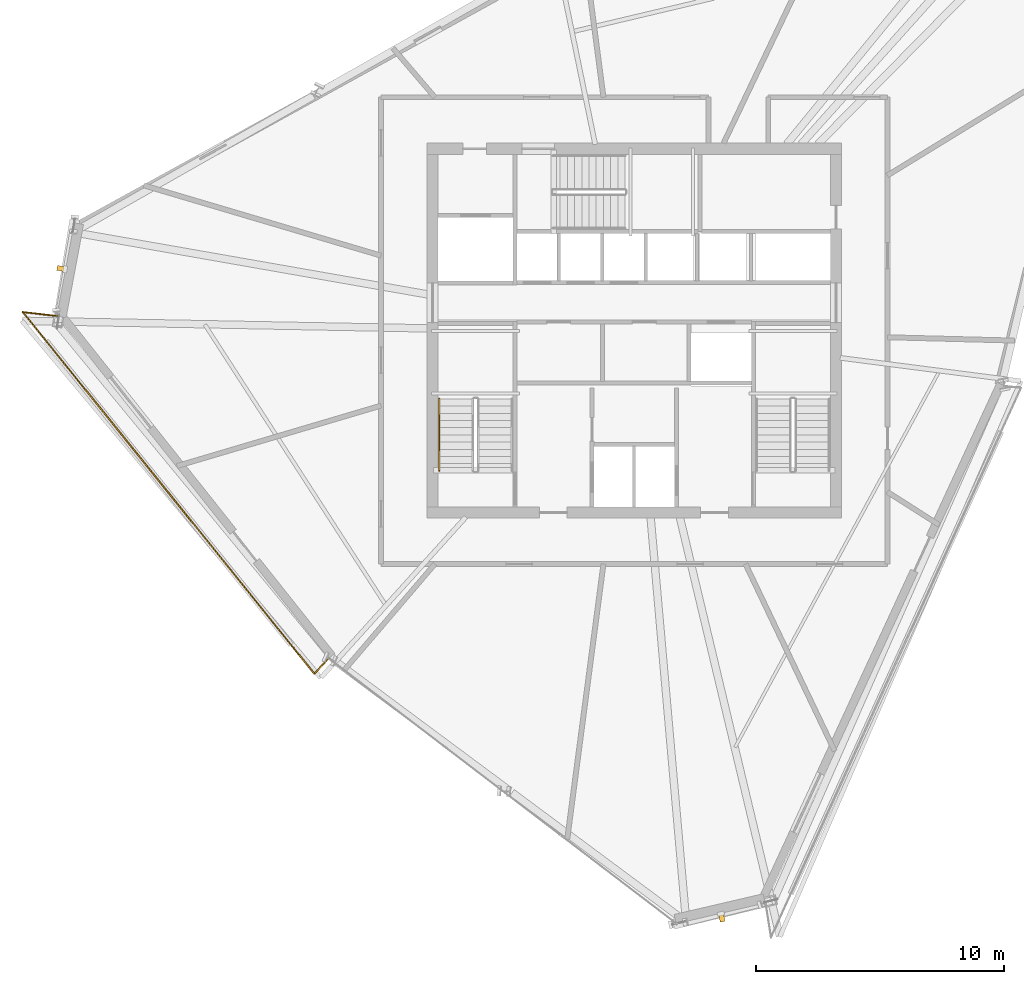
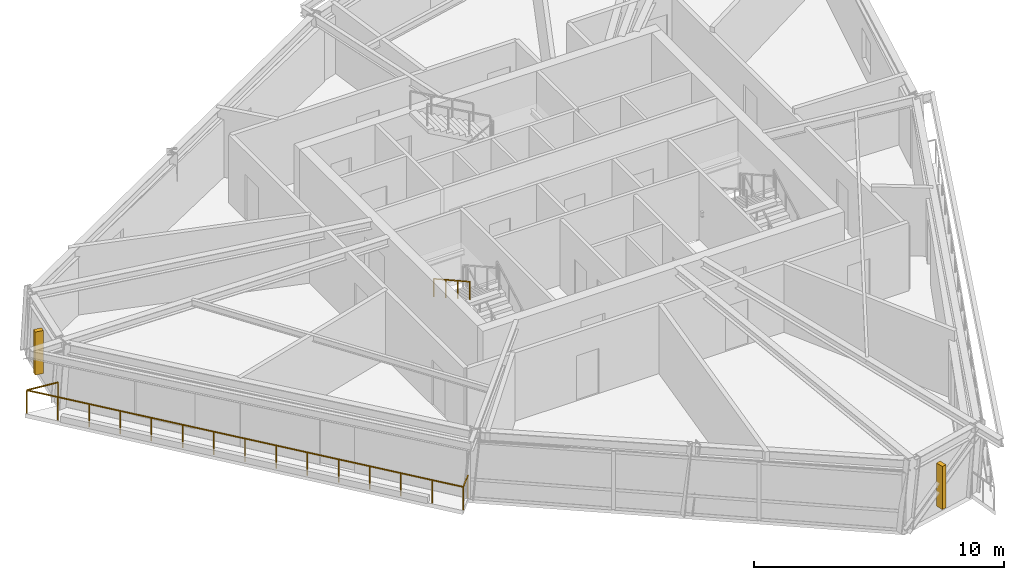
# One storey, part 11 of 13: 2 railings, 2 shading devices.
"""IFC4 building model written with IfcOpenShell, lengths in metres."""

from ifc_helpers import new_model, si_unit, direction, frame, origin, origin_2d, place, context, subcontext, project, spatial, rectangle, extrude, source, transform, mapped, material, type_object, element, save


model = new_model("IFC4")

# Units and contexts
model_context = context("Model", 3, precision=1e-05, world=origin(), true_north=direction((0.0, 1.0)))
body_context = subcontext(model_context, "Body", "Model", "MODEL_VIEW")
ifc_project = project(units=[si_unit("LENGTHUNIT", "METRE"), si_unit("AREAUNIT", "SQUARE_METRE"), si_unit("VOLUMEUNIT", "CUBIC_METRE"), si_unit("PLANEANGLEUNIT", "RADIAN"), si_unit("MASSUNIT", "GRAM", prefix="KILO")], contexts=[model_context])

# Site, building, storey
site_placement = place(None, origin())
site = spatial("IfcSite", under=ifc_project, at=site_placement, CompositionType="ELEMENT")
building_placement = place(site_placement, origin())
building = spatial("IfcBuilding", under=site, at=building_placement, Name="Olszyna Solenne Hotel", CompositionType="ELEMENT")
storey_placement = place(building_placement, frame((0.0, 0.0, 227.35009765625)))
storey = spatial("IfcBuildingStorey", under=building, at=storey_placement, Name="L60", CompositionType="ELEMENT", Elevation=227.35009765625)

# Railings
ifc_material_1 = material(Name="Anodised bronze aluminium", Category="aluminium")
railing_type_1 = type_object("IfcRailingType", Name="GR-110", PredefinedType="BALUSTRADE", material=ifc_material_1)
railing_1_placement = place(storey_placement, frame((14.74560546875, 27.18994140625, 0.0)))
element("IfcRailing", 1, at=railing_1_placement, inside=storey, type_object=railing_type_1, Name="Loggia balcony balustrade guard GR-L60-LG2", PredefinedType="BALUSTRADE", context=body_context, shape_type="SweptSolid", body=[
    extrude(rectangle(XDim=0.048095703125, YDim=0.048095703125, at=origin_2d()), frame((0.0, 0.0, 1.1259765625), z_axis=(-0.993296039772, 0.115598345031, 0.0), x_axis=(-0.115598345031, -0.993296039772, 0.0)), (0.0, 0.0, 1.0), 1.379150390625),
    extrude(rectangle(XDim=0.048095703125, YDim=0.048095703125, at=origin_2d()), frame((-1.369873046875, 0.159423828125, 1.1259765625), z_axis=(0.627541333191, -0.778583248687, 0.0), x_axis=(0.778583248687, 0.627541333191, 0.0)), (0.0, 0.0, 1.0), 18.717529296875),
    extrude(rectangle(XDim=0.048095703125, YDim=0.048095703125, at=origin_2d()), frame((10.376220703125, -14.413818359375, 1.1259765625), z_axis=(0.679310199144, 0.733851247419, 0.0), x_axis=(-0.733851247419, 0.679310199144, 0.0)), (0.0, 0.0, 1.0), 0.845947265625),
    extrude(rectangle(XDim=0.0419921875, YDim=0.0419921875, at=origin_2d()), origin(), (0.0, 0.0, 1.0), 1.101806640625),
    extrude(rectangle(XDim=0.0419921875, YDim=0.0419921875, at=origin_2d()), frame((-1.369873046875, 0.159423828125, 0.0)), (0.0, 0.0, 1.0), 1.101806640625),
    extrude(rectangle(XDim=0.0419921875, YDim=0.0419921875, at=origin_2d()), frame((-0.53076171875, -0.881591796875, 0.0)), (0.0, 0.0, 1.0), 1.101806640625),
    extrude(rectangle(XDim=0.0419921875, YDim=0.0419921875, at=origin_2d()), frame((0.30810546875, -1.92236328125, 0.0)), (0.0, 0.0, 1.0), 1.101806640625),
    extrude(rectangle(XDim=0.0419921875, YDim=0.0419921875, at=origin_2d()), frame((1.147216796875, -2.96337890625, 0.0)), (0.0, 0.0, 1.0), 1.101806640625),
    extrude(rectangle(XDim=0.0419921875, YDim=0.0419921875, at=origin_2d()), frame((1.986083984375, -4.00439453125, 0.0)), (0.0, 0.0, 1.0), 1.101806640625),
    extrude(rectangle(XDim=0.0419921875, YDim=0.0419921875, at=origin_2d()), frame((2.8251953125, -5.04541015625, 0.0)), (0.0, 0.0, 1.0), 1.101806640625),
    extrude(rectangle(XDim=0.0419921875, YDim=0.0419921875, at=origin_2d()), frame((3.6640625, -6.086181640625, 0.0)), (0.0, 0.0, 1.0), 1.101806640625),
    extrude(rectangle(XDim=0.0419921875, YDim=0.0419921875, at=origin_2d()), frame((4.503173828125, -7.127197265625, 0.0)), (0.0, 0.0, 1.0), 1.101806640625),
    extrude(rectangle(XDim=0.0419921875, YDim=0.0419921875, at=origin_2d()), frame((5.34228515625, -8.168212890625, 0.0)), (0.0, 0.0, 1.0), 1.101806640625),
    extrude(rectangle(XDim=0.0419921875, YDim=0.0419921875, at=origin_2d()), frame((6.18115234375, -9.208984375, 0.0)), (0.0, 0.0, 1.0), 1.101806640625),
    extrude(rectangle(XDim=0.0419921875, YDim=0.0419921875, at=origin_2d()), frame((7.020263671875, -10.25, 0.0)), (0.0, 0.0, 1.0), 1.101806640625),
    extrude(rectangle(XDim=0.0419921875, YDim=0.0419921875, at=origin_2d()), frame((7.859130859375, -11.291015625, 0.0)), (0.0, 0.0, 1.0), 1.101806640625),
    extrude(rectangle(XDim=0.0419921875, YDim=0.0419921875, at=origin_2d()), frame((8.6982421875, -12.33203125, 0.0)), (0.0, 0.0, 1.0), 1.101806640625),
    extrude(rectangle(XDim=0.0419921875, YDim=0.0419921875, at=origin_2d()), frame((9.537109375, -13.372802734375, 0.0)), (0.0, 0.0, 1.0), 1.101806640625),
    extrude(rectangle(XDim=0.0419921875, YDim=0.0419921875, at=origin_2d()), frame((10.376220703125, -14.413818359375, 0.0)), (0.0, 0.0, 1.0), 1.101806640625),
    extrude(rectangle(XDim=0.0419921875, YDim=0.0419921875, at=origin_2d()), frame((10.950927734375, -13.79296875, 0.0)), (0.0, 0.0, 1.0), 1.101806640625),
])
ifc_material_2 = material(Name="Steel S355J2", Category="steel")
railing_type_2 = type_object("IfcRailingType", Name="HR-090", PredefinedType="HANDRAIL", material=ifc_material_2)
railing_2_placement = place(storey_placement, frame((30.14990234375, 23.85009765625, 1.936279296875)))
element("IfcRailing", 2, at=railing_2_placement, inside=storey, type_object=railing_type_2, Name="L60 ST1 stair handrail 2", PredefinedType="HANDRAIL", context=body_context, shape_type="SweptSolid", body=[
    extrude(rectangle(XDim=0.048095703125, YDim=0.048095703125, at=origin_2d()), frame((0.0, 0.0, 0.8759765625), z_axis=(0.0, -0.873858693841, 0.486179990537), x_axis=(1.0, 0.0, 0.0)), (0.0, 0.0, 1.0), 3.31884765625),
    extrude(rectangle(XDim=0.0419921875, YDim=0.0419921875, at=origin_2d()), origin(), (0.0, 0.0, 1.0), 0.851806640625),
    extrude(rectangle(XDim=0.0419921875, YDim=0.0419921875, at=origin_2d()), frame((0.0, -0.966796875, 0.537841796875)), (0.0, 0.0, 1.0), 0.851806640625),
    extrude(rectangle(XDim=0.0419921875, YDim=0.0419921875, at=origin_2d()), frame((0.0, -1.933349609375, 1.07568359375)), (0.0, 0.0, 1.0), 0.851806640625),
    extrude(rectangle(XDim=0.0419921875, YDim=0.0419921875, at=origin_2d()), frame((0.0, -2.900146484375, 1.613525390625)), (0.0, 0.0, 1.0), 0.851806640625),
])

# Shading devices
ifc_material_3 = material(Name="Terracotta cladding", Category="masonry")
shading_device_type = type_object("IfcShadingDeviceType", Name="SH-FN1", PredefinedType="USERDEFINED", material=ifc_material_3)
shared_shape = source(origin(), body_context, "Body", "SweptSolid", [
    extrude(rectangle(XDim=0.199951171875, YDim=0.35009765625, at=origin_2d()), origin(), (0.0, 0.0, 1.0), 2.10009765625),
])
for number, where, z_axis, x_axis, name in (
    (3, (41.527099609375, 2.96484375, 0.36083984375), (0.0, 0.0, 1.0), (-0.973975967279, -0.226651307437, 0.0), "Chamfer wind-corner terracotta fin FN-L60-02"),
    (4, (14.9296875, 29.09765625, 0.36083984375), (0.0, 0.0, 1.0), (0.183951350613, 0.98293534915, 0.0), "Chamfer wind-corner terracotta fin FN-L60-05"),
):
    element("IfcShadingDevice", number, at=place(storey_placement, frame(where, z_axis=z_axis, x_axis=x_axis)), inside=storey, type_object=shading_device_type, Name=name, ObjectType="FIN", PredefinedType="USERDEFINED", context=body_context, shape_type="MappedRepresentation", body=[
        mapped(shared_shape, transform((0.0, 0.0, 0.0), x_axis=(1.0, 0.0, 0.0), y_axis=(0.0, 1.0, 0.0), z_axis=(0.0, 0.0, 1.0), scale=1.0)),
    ])

save(model, "model.ifc")
